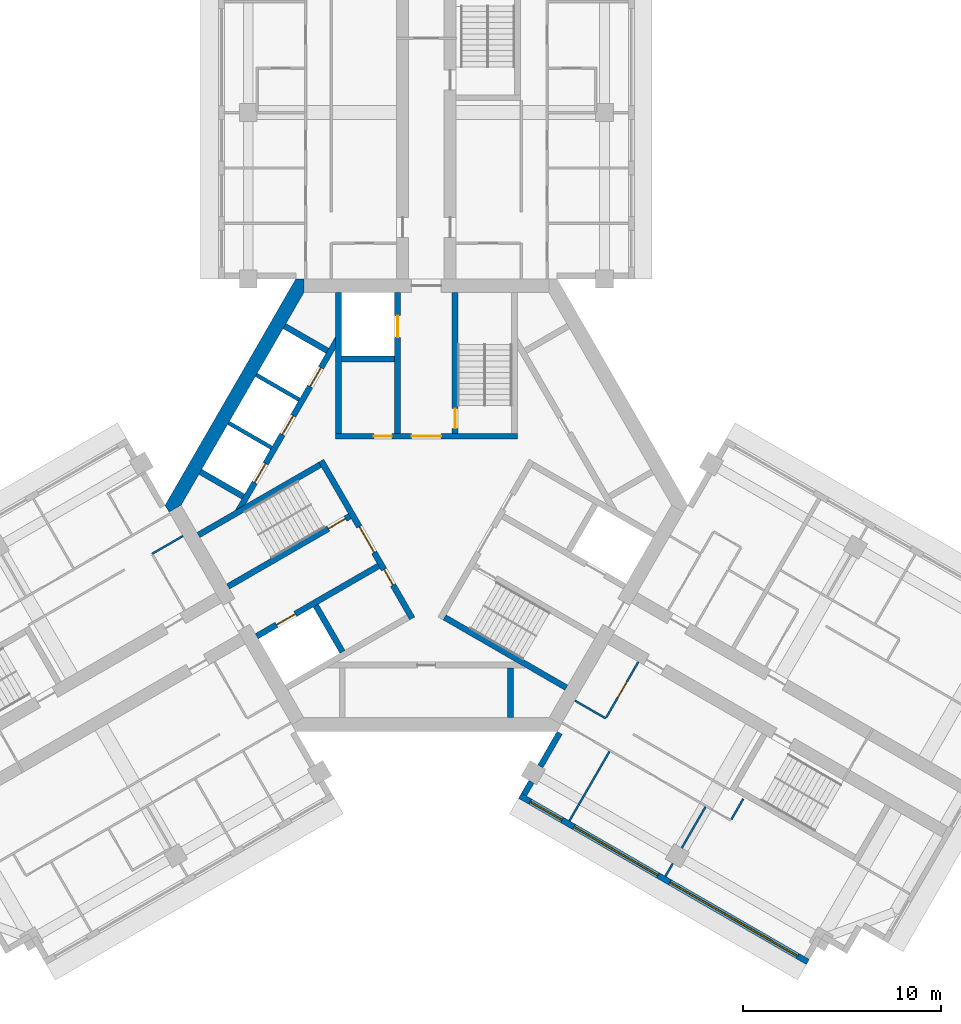
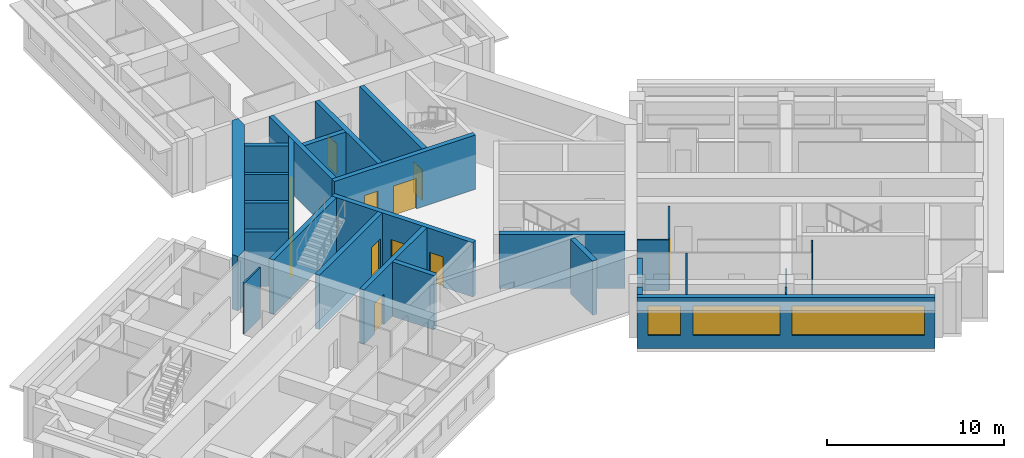
# One storey, part 4 of 10: 28 walls, 12 doors, 3 windows, 15 openings.
"""IFC4 building model written with IfcOpenShell, lengths in metres."""

import ifcopenshell
import ifcopenshell.guid

model = None  # the IFC model being written
_history = None  # IfcOwnerHistory: only IFC2X3 demands one
_inside = {}  # id of a spatial element -> (the spatial element, [elements in it])
_under = {}  # id of a project, library or spatial element -> (it, [spatial elements below it])
_declared = {}  # id of a project -> (the project, [libraries it declares])
_typed = {}  # id of a type object -> (the type object, [elements of that type])
_made_of = {}  # id of a material, layer set ... -> (it, [elements and type objects made of it])


def new_model(schema):
    """Start an empty IFC model of exactly this schema.

    Asked for "IFC4X3", IfcOpenShell would pick the latest addendum, in which some entities
    have other attributes; the version numbers below select the first issue.
    IFC2X3 requires an IfcOwnerHistory on every rooted entity: one is made here for all.
    """
    global model, _history
    if schema == "IFC4X3":
        model = ifcopenshell.file(schema_version=(4, 3, 0, 0))
    else:
        model = ifcopenshell.file(schema=schema)
    _inside.clear()
    _under.clear()
    _declared.clear()
    _typed.clear()
    _made_of.clear()
    _history = None
    if model.schema == "IFC2X3":
        org = make("IfcOrganization", Name="unknown")
        user = make(
            "IfcPersonAndOrganization",
            ThePerson=make("IfcPerson", FamilyName="unknown"),
            TheOrganization=org,
        )
        app = make(
            "IfcApplication",
            ApplicationDeveloper=org,
            Version="unknown",
            ApplicationFullName="unknown",
            ApplicationIdentifier="unknown",
        )
        _history = make(
            "IfcOwnerHistory",
            OwningUser=user,
            OwningApplication=app,
            ChangeAction="ADDED",
            CreationDate=0,
        )
    return model


def make(cls, **values):
    """One entity of the class cls with the attributes given. An attribute that is None is left unset."""
    return model.create_entity(
        cls, **{name: value for name, value in values.items() if value is not None}
    )


def rooted(cls, **values):
    """An entity with a GlobalId (a new one), such as an element, a storey or a relation."""
    return make(cls, GlobalId=ifcopenshell.guid.new(), OwnerHistory=_history, **values)


def si_unit(unit_type, name, prefix=None):
    """IfcSIUnit, for example si_unit("LENGTHUNIT", "METRE", prefix="MILLI")."""
    return make("IfcSIUnit", UnitType=unit_type, Prefix=prefix, Name=name)


def assignment(units):
    """IfcUnitAssignment: the units of a project."""
    return None if units is None else make("IfcUnitAssignment", Units=units)


def point(xyz):
    """IfcCartesianPoint."""
    return None if xyz is None else make("IfcCartesianPoint", Coordinates=xyz)


def direction(xyz):
    """IfcDirection."""
    return None if xyz is None else make("IfcDirection", DirectionRatios=xyz)


def frame(location, z_axis=None, x_axis=None):
    """IfcAxis2Placement3D, a coordinate frame: its origin and axes. An axis left out is left unset."""
    return make(
        "IfcAxis2Placement3D",
        Location=point(location),
        Axis=direction(z_axis),
        RefDirection=direction(x_axis),
    )


def frame_2d(location, x_axis=None):
    """IfcAxis2Placement2D, a coordinate frame in the plane: its origin and x axis."""
    return make(
        "IfcAxis2Placement2D", Location=point(location), RefDirection=direction(x_axis)
    )


def origin():
    """The frame at (0, 0, 0) with its axes left unset."""
    return frame((0.0, 0.0, 0.0))


def place(relative_to, where):
    """IfcLocalPlacement: puts the frame where relative to a parent placement (None: the world)."""
    return make(
        "IfcLocalPlacement", PlacementRelTo=relative_to, RelativePlacement=where
    )


def context(
    kind, dimensions, precision=None, world=None, true_north=None, identifier=None
):
    """IfcGeometricRepresentationContext, for example the 3D "Model" context."""
    return make(
        "IfcGeometricRepresentationContext",
        ContextIdentifier=identifier,
        ContextType=kind,
        CoordinateSpaceDimension=dimensions,
        Precision=precision,
        WorldCoordinateSystem=world,
        TrueNorth=true_north,
    )


def subcontext(parent, identifier, kind, view, scale=None):
    """IfcGeometricRepresentationSubContext, for example "Body" below "Model"."""
    return make(
        "IfcGeometricRepresentationSubContext",
        ContextIdentifier=identifier,
        ContextType=kind,
        ParentContext=parent,
        TargetScale=scale,
        TargetView=view,
    )


def project(units=None, contexts=None):
    """IfcProject with its units and contexts."""
    return rooted(
        "IfcProject",
        Name="project",
        RepresentationContexts=contexts,
        UnitsInContext=assignment(units),
    )


def spatial(cls, under=None, at=None, **own):
    """A site, building, storey or space (cls), placed at a placement, below another one or the project."""
    s = rooted(cls, ObjectPlacement=at, **own)
    if under is not None:
        _under.setdefault(under.id(), (under, []))[1].append(s)
    return s


def polyline(points):
    """IfcPolyline through the points."""
    return make("IfcPolyline", Points=[point(p) for p in points])


def profile(cls, at=None, kind="AREA", **sizes):
    """A parametric profile (cls). Its sizes go by their IFC names, for example OverallWidth=200.0."""
    return make(cls, ProfileType=kind, Position=at, **sizes)


def rectangle(**sizes):
    """IfcRectangleProfileDef."""
    return profile("IfcRectangleProfileDef", **sizes)


def outline(outer, holes=None, kind="AREA"):
    """IfcArbitraryClosedProfileDef: a profile drawn as a closed curve; with holes, ...WithVoids."""
    if holes is None:
        return make("IfcArbitraryClosedProfileDef", ProfileType=kind, OuterCurve=outer)
    return make(
        "IfcArbitraryProfileDefWithVoids",
        ProfileType=kind,
        OuterCurve=outer,
        InnerCurves=holes,
    )


def extrude(swept, where, along, depth):
    """IfcExtrudedAreaSolid: the profile swept, set in the frame where, extruded along a direction by depth."""
    return make(
        "IfcExtrudedAreaSolid",
        SweptArea=swept,
        Position=where,
        ExtrudedDirection=direction(along),
        Depth=depth,
    )


def shape(context_of_items, identifier, shape_type, items):
    """IfcShapeRepresentation: the items that make up one representation, for example the "Body"."""
    return make(
        "IfcShapeRepresentation",
        ContextOfItems=context_of_items,
        RepresentationIdentifier=identifier,
        RepresentationType=shape_type,
        Items=items,
    )


def material(Name=None, Category=None):
    """IfcMaterial."""
    return make("IfcMaterial", Name=Name, Category=Category)


def layer(
    of_material, thickness, ventilated=None, Name=None, Category=None, Priority=None
):
    """IfcMaterialLayer: one layer of a wall or slab, of a material (None: an air gap)."""
    return make(
        "IfcMaterialLayer",
        Material=of_material,
        LayerThickness=thickness,
        IsVentilated=ventilated,
        Name=Name,
        Category=Category,
        Priority=Priority,
    )


def layer_set(layers, Name=None):
    """IfcMaterialLayerSet."""
    return make("IfcMaterialLayerSet", MaterialLayers=layers, LayerSetName=Name)


def made_of(thing, what):
    """Note that an element or type object is made of a material, layer set ...; save() writes the relation."""
    if what is not None:
        _made_of.setdefault(what.id(), (what, []))[1].append(thing)
    return thing


def type_object(cls, material=None, **own):
    """A type object (cls), such as IfcWallType, which elements share."""
    return made_of(rooted(cls, **own), material)


def element(
    cls,
    number,
    at=None,
    inside=None,
    cuts=None,
    type_object=None,
    material=None,
    context=None,
    identifier="Body",
    shape_type=None,
    held_by="IfcProductDefinitionShape",
    body=None,
    shapes=None,
    **own,
):
    """One element of the class cls, such as IfcWall. Its Tag is "e" and its number.

    at: its placement. inside: the storey or other place that contains it. cuts: it is an
    opening in that element (IfcRelVoidsElement). A single representation is given by context,
    identifier, shape_type and body (its items); several are given by shapes. held_by: the class
    of the entity that holds the representations. save() writes the other relations.
    """
    e = rooted(cls, Tag="e%d" % number, ObjectPlacement=at, **own)
    if body is not None:
        shapes = [shape(context, identifier, shape_type, body)]
    if shapes is not None:
        e.Representation = make(held_by, Representations=shapes)
    if inside is not None:
        _inside.setdefault(inside.id(), (inside, []))[1].append(e)
    if cuts is not None:
        rooted(
            "IfcRelVoidsElement", RelatingBuildingElement=cuts, RelatedOpeningElement=e
        )
    if type_object is not None:
        _typed.setdefault(type_object.id(), (type_object, []))[1].append(e)
    return made_of(e, material)


def fill(opening, filler):
    """IfcRelFillsElement: the door or window that sits in an opening."""
    return rooted(
        "IfcRelFillsElement",
        RelatingOpeningElement=opening,
        RelatedBuildingElement=filler,
    )


def aggregate(whole, parts):
    """IfcRelAggregates: a whole, such as a stair, and the parts it consists of."""
    return rooted("IfcRelAggregates", RelatingObject=whole, RelatedObjects=parts)


def save(model, path):
    """Write the relations noted so far, then the file.

    IfcRelAggregates (storeys below a building ...), IfcRelContainedInSpatialStructure (elements
    in a storey), IfcRelDefinesByType, IfcRelAssociatesMaterial and IfcRelDeclares: one each for
    every whole, place, type object, material and project.
    """
    for whole, parts in _under.values():
        aggregate(whole, parts)
    for where, things in _inside.values():
        rooted(
            "IfcRelContainedInSpatialStructure",
            RelatedElements=things,
            RelatingStructure=where,
        )
    for kind, things in _typed.values():
        rooted("IfcRelDefinesByType", RelatedObjects=things, RelatingType=kind)
    for what, things in _made_of.values():
        rooted("IfcRelAssociatesMaterial", RelatedObjects=things, RelatingMaterial=what)
    for by, libraries in _declared.values():
        rooted("IfcRelDeclares", RelatingContext=by, RelatedDefinitions=libraries)
    model.write(path)


model = new_model("IFC4")

# Units and contexts
model_context = context("Model", 3, precision=1e-05, world=origin(), true_north=direction((0.0, 1.0)))
body_context = subcontext(model_context, "Body", "Model", "MODEL_VIEW")
ifc_project = project(units=[si_unit("LENGTHUNIT", "METRE"), si_unit("AREAUNIT", "SQUARE_METRE"), si_unit("VOLUMEUNIT", "CUBIC_METRE"), si_unit("PLANEANGLEUNIT", "RADIAN"), si_unit("MASSUNIT", "GRAM", prefix="KILO")], contexts=[model_context])

# Site, building, storey
site_placement = place(None, origin())
site = spatial("IfcSite", under=ifc_project, at=site_placement, CompositionType="ELEMENT")
building_placement = place(site_placement, origin())
building = spatial("IfcBuilding", under=site, at=building_placement, Name="Impinga Residences", CompositionType="ELEMENT")
storey_placement = place(building_placement, frame((0.0, 0.0, 259.75)))
storey = spatial("IfcBuildingStorey", under=building, at=storey_placement, Name="L65", CompositionType="ELEMENT", Elevation=259.75)

# Wall, openings, windows
ifc_material_1 = material(Name="Terracotta rainscreen on blockwork", Category="masonry")
ifc_layer_1 = layer(ifc_material_1, 0.300048828125)
ifc_layer_set_1 = layer_set([ifc_layer_1], Name="EW1 external wall, terracotta rainscreen on blockwork 300")
wall_type_1 = type_object("IfcWallType", Name="EW1 external wall, terracotta rainscreen on blockwork 300", PredefinedType="SOLIDWALL", material=ifc_layer_set_1)
wall_1_placement = place(storey_placement, frame((19.274169921875, -23.0791015625, 0.0), z_axis=(0.0, 0.0, 1.0), x_axis=(-0.86602562146, 0.499999622975, 0.0)))
wall_1 = element("IfcWall", 1, at=wall_1_placement, inside=storey, type_object=wall_type_1, Name="External wall EW1 L65", PredefinedType="SOLIDWALL", context=body_context, shape_type="SweptSolid", body=[
    extrude(rectangle(XDim=16.7998046875, YDim=0.300048828125, at=frame_2d((8.39990234375, 0.0))), origin(), (0.0, 0.0, 1.0), 3.530029296875),
])
opening_1_placement = place(wall_1_placement, frame((0.60009765625, 0.0, 0.89990234375)))
opening_1 = element("IfcOpeningElement", 2, at=opening_1_placement, cuts=wall_1, Name="Opening W7", PredefinedType="OPENING", context=body_context, shape_type="SweptSolid", body=[
    extrude(rectangle(XDim=7.449951171875, YDim=2.050048828125, at=frame_2d((3.72509765625, 1.02490234375))), frame((0.0, 0.159912109375, 0.0), z_axis=(0.0, -1.0, 0.0), x_axis=(1.0, 0.0, 0.0)), (0.0, 0.0, 1.0), 0.320068359375),
])
opening_2_placement = place(wall_1_placement, frame((8.75, 0.0, 0.89990234375)))
opening_2 = element("IfcOpeningElement", 3, at=opening_2_placement, cuts=wall_1, Name="Opening W16", PredefinedType="OPENING", context=body_context, shape_type="SweptSolid", body=[
    extrude(rectangle(XDim=4.89990234375, YDim=2.050048828125, at=frame_2d((2.449951171875, 1.02490234375))), frame((0.0, 0.159912109375, 0.0), z_axis=(0.0, -1.0, 0.0), x_axis=(1.0, 0.0, 0.0)), (0.0, 0.0, 1.0), 0.320068359375),
])
opening_3_placement = place(wall_1_placement, frame((14.35009765625, 0.0, 0.89990234375)))
opening_3 = element("IfcOpeningElement", 4, at=opening_3_placement, cuts=wall_1, Name="Opening W15", PredefinedType="OPENING", context=body_context, shape_type="SweptSolid", body=[
    extrude(rectangle(XDim=1.85009765625, YDim=2.050048828125, at=frame_2d((0.925048828125, 1.02490234375))), frame((0.0, 0.159912109375, 0.0), z_axis=(0.0, -1.0, 0.0), x_axis=(1.0, 0.0, 0.0)), (0.0, 0.0, 1.0), 0.320068359375),
])
ifc_material_2 = material(Name="Aluminium window, clear double glazing", Category="aluminium")
window_type_1 = type_object("IfcWindowType", Name="W15 ribbon window 1850x2050", PartitioningType="SINGLE_PANEL", PredefinedType="WINDOW", material=ifc_material_2)
window_1_placement = place(opening_3_placement, origin())
window_1 = element("IfcWindow", 5, at=window_1_placement, inside=storey, type_object=window_type_1, Name="Window L65", OverallHeight=2.050048828125, OverallWidth=1.85009765625, PartitioningType="SINGLE_PANEL", PredefinedType="WINDOW", context=body_context, shape_type="SweptSolid", body=[
    extrude(rectangle(XDim=1.85009765625, YDim=2.050048828125, at=frame_2d((0.925048828125, 1.02490234375))), frame((0.0, 0.030029296875, 0.0), z_axis=(0.0, -1.0, 0.0), x_axis=(1.0, 0.0, 0.0)), (0.0, 0.0, 1.0), 0.06005859375),
])
fill(opening_3, window_1)
window_type_2 = type_object("IfcWindowType", Name="W16 ribbon window 4900x2050", PartitioningType="SINGLE_PANEL", PredefinedType="WINDOW", material=ifc_material_2)
window_2_placement = place(opening_2_placement, origin())
window_2 = element("IfcWindow", 6, at=window_2_placement, inside=storey, type_object=window_type_2, Name="Window L65", OverallHeight=2.050048828125, OverallWidth=4.89990234375, PartitioningType="SINGLE_PANEL", PredefinedType="WINDOW", context=body_context, shape_type="SweptSolid", body=[
    extrude(rectangle(XDim=4.89990234375, YDim=2.050048828125, at=frame_2d((2.449951171875, 1.02490234375))), frame((0.0, 0.030029296875, 0.0), z_axis=(0.0, -1.0, 0.0), x_axis=(1.0, 0.0, 0.0)), (0.0, 0.0, 1.0), 0.06005859375),
])
fill(opening_2, window_2)
window_type_3 = type_object("IfcWindowType", Name="W7 ribbon window 7450x2050", PartitioningType="SINGLE_PANEL", PredefinedType="WINDOW", material=ifc_material_2)
window_3_placement = place(opening_1_placement, origin())
window_3 = element("IfcWindow", 7, at=window_3_placement, inside=storey, type_object=window_type_3, Name="Window L65", OverallHeight=2.050048828125, OverallWidth=7.449951171875, PartitioningType="SINGLE_PANEL", PredefinedType="WINDOW", context=body_context, shape_type="SweptSolid", body=[
    extrude(rectangle(XDim=7.449951171875, YDim=2.050048828125, at=frame_2d((3.72509765625, 1.02490234375))), frame((0.0, 0.030029296875, 0.0), z_axis=(0.0, -1.0, 0.0), x_axis=(1.0, 0.0, 0.0)), (0.0, 0.0, 1.0), 0.06005859375),
])
fill(opening_1, window_3)

# Walls
wall_2_placement = place(storey_placement, frame((4.929931640625, -14.624267578125, 0.0), z_axis=(0.0, 0.0, 1.0), x_axis=(0.499919672301, 0.866071776036, 0.0)))
element("IfcWall", 8, at=wall_2_placement, inside=storey, type_object=wall_type_1, Name="External wall EW1 L65", PredefinedType="SOLIDWALL", context=body_context, shape_type="SweptSolid", body=[
    extrude(rectangle(XDim=0.75, YDim=0.300048828125, at=frame_2d((0.375, 0.0))), origin(), (0.0, 0.0, 1.0), 3.530029296875),
])
wall_3_placement = place(storey_placement, frame((5.7548828125, -13.1953125, 0.0), z_axis=(0.0, 0.0, 1.0), x_axis=(0.500043961785, 0.866000020948, 0.0)))
element("IfcWall", 9, at=wall_3_placement, inside=storey, type_object=wall_type_1, Name="External wall EW1 L65", PredefinedType="SOLIDWALL", context=body_context, shape_type="SweptSolid", body=[
    extrude(rectangle(XDim=1.949951171875, YDim=0.300048828125, at=frame_2d((0.97509765625, 0.0))), origin(), (0.0, 0.0, 1.0), 3.530029296875),
])
ifc_material_3 = material(Name="Gypsum board on steel studs", Category="steel")
ifc_layer_2 = layer(ifc_material_3, 0.10009765625)
ifc_layer_set_2 = layer_set([ifc_layer_2], Name="Gypsum board on steel studs")
wall_type_2 = type_object("IfcWallType", Name="IP1 partition 100", PredefinedType="PARTITIONING", material=ifc_layer_set_2)
for number, where, z_axis, x_axis, name in (
    (10, (-12.300048828125, -1.558837890625, 0.0), (0.0, 0.0, 1.0), (-0.866047807691, -0.499961193289, 0.0), "Partition L65-WF1:DIV0"),
    (11, (7.5, -9.872802734375, 0.0), (0.0, 0.0, 1.0), (0.866047807691, -0.499961193289, 0.0), "Partition L65-EF1:DIV0"),
):
    element("IfcWall", number, at=place(storey_placement, frame(where, z_axis=z_axis, x_axis=x_axis)), inside=storey, type_object=wall_type_2, Name=name, PredefinedType="PARTITIONING", context=body_context, shape_type="SweptSolid", body=[
        extrude(rectangle(XDim=1.800048828125, YDim=0.10009765625, at=frame_2d((0.89990234375, 0.0))), origin(), (0.0, 0.0, 1.0), 3.530029296875),
    ])
wall_4_placement = place(storey_placement, frame((16.00537109375, -14.841064453125, 0.0), z_axis=(0.0, 0.0, 1.0), x_axis=(-0.50012165622, -0.865955154139, 0.0)))
element("IfcWall", 12, at=wall_4_placement, inside=storey, type_object=wall_type_2, Name="Partition L65-EF1:SE1", PredefinedType="PARTITIONING", context=body_context, shape_type="SweptSolid", body=[
    extrude(rectangle(XDim=1.199951171875, YDim=0.10009765625, at=frame_2d((0.60009765625, 0.0))), origin(), (0.0, 0.0, 1.0), 3.530029296875),
])

# Wall, opening, door
wall_5_placement = place(storey_placement, frame((10.708740234375, -7.914794921875, 0.0), z_axis=(0.0, 0.0, 1.0), x_axis=(-0.499984717929, -0.866034226713, 0.0)))
wall_5 = element("IfcWall", 13, at=wall_5_placement, inside=storey, type_object=wall_type_2, Name="Partition L65-EF1:IB1", PredefinedType="PARTITIONING", context=body_context, shape_type="SweptSolid", body=[
    extrude(rectangle(XDim=3.25, YDim=0.10009765625, at=frame_2d((1.625, 0.0))), origin(), (0.0, 0.0, 1.0), 3.530029296875),
])
opening_4_placement = place(wall_5_placement, frame((1.175048828125, 0.0, 0.0)))
opening_4 = element("IfcOpeningElement", 14, at=opening_4_placement, cuts=wall_5, Name="Opening D2", PredefinedType="OPENING", context=body_context, shape_type="SweptSolid", body=[
    extrude(rectangle(XDim=0.89990234375, YDim=2.10009765625, at=frame_2d((0.449951171875, 1.050048828125))), frame((0.0, 0.06005859375, 0.0), z_axis=(0.0, -1.0, 0.0), x_axis=(1.0, 0.0, 0.0)), (0.0, 0.0, 1.0), 0.1201171875),
])
ifc_material_4 = material(Name="Timber door set", Category="wood")
door_type_1 = type_object("IfcDoorType", Name="D2 internal door 900x2100", OperationType="SINGLE_SWING_LEFT", PredefinedType="DOOR", material=ifc_material_4)
door_1_placement = place(opening_4_placement, origin())
door_1 = element("IfcDoor", 15, at=door_1_placement, inside=storey, type_object=door_type_1, Name="Apartment L65-EF1 bathroom door", OperationType="SINGLE_SWING_LEFT", OverallHeight=2.10009765625, OverallWidth=0.89990234375, PredefinedType="DOOR", context=body_context, shape_type="SweptSolid", body=[
    extrude(rectangle(XDim=0.89990234375, YDim=2.10009765625, at=frame_2d((0.449951171875, 1.050048828125))), frame((0.0, 0.02490234375, 0.0), z_axis=(0.0, -1.0, 0.0), x_axis=(1.0, 0.0, 0.0)), (0.0, 0.0, 1.0), 0.050048828125),
])
fill(opening_4, door_1)

# Walls
wall_6_placement = place(storey_placement, frame((9.249755859375, -12.44189453125, 0.0), z_axis=(0.0, 0.0, 1.0), x_axis=(-0.499990325971, -0.866030989016, 0.0)))
element("IfcWall", 16, at=wall_6_placement, inside=storey, type_object=wall_type_2, Name="Partition L65-EF1:OB1", PredefinedType="PARTITIONING", context=body_context, shape_type="SweptSolid", body=[
    extrude(rectangle(XDim=4.0498046875, YDim=0.10009765625, at=frame_2d((2.02490234375, 0.0))), origin(), (0.0, 0.0, 1.0), 3.530029296875),
])
wall_7_placement = place(storey_placement, frame((14.099609375, -15.241943359375, 0.0), z_axis=(0.0, 0.0, 1.0), x_axis=(-0.500001309137, -0.866024647952, 0.0)))
element("IfcWall", 17, at=wall_7_placement, inside=storey, type_object=wall_type_2, Name="Partition L65-EF1:OB2", PredefinedType="PARTITIONING", context=body_context, shape_type="SweptSolid", body=[
    extrude(rectangle(XDim=2.39990234375, YDim=0.10009765625, at=frame_2d((1.199951171875, 0.0))), origin(), (0.0, 0.0, 1.0), 2.47998046875),
])
wall_8_placement = place(storey_placement, frame((12.44970703125, -18.099609375, 0.0), z_axis=(0.0, 0.0, 1.0), x_axis=(-0.499919672301, -0.866071776036, 0.0)))
element("IfcWall", 18, at=wall_8_placement, inside=storey, type_object=wall_type_2, Name="Partition L65-EF1:OB2b", PredefinedType="PARTITIONING", context=body_context, shape_type="SweptSolid", body=[
    extrude(rectangle(XDim=0.75, YDim=0.10009765625, at=frame_2d((0.375, 0.0))), origin(), (0.0, 0.0, 1.0), 3.530029296875),
])
ifc_material_5 = material(Name="Concrete C60/75", Category="concrete")
ifc_layer_3 = layer(ifc_material_5, 0.699951171875)
ifc_layer_set_3 = layer_set([ifc_layer_3], Name="Concrete C60/75")
wall_type_3 = type_object("IfcWallType", Name="SW3 core wall 700", PredefinedType="SHEAR", material=ifc_layer_set_3)
wall_9_placement = place(storey_placement, origin())
element("IfcWall", 19, at=wall_9_placement, inside=storey, type_object=wall_type_3, Name="Core wall SW3 E:EXPOSED L65", PredefinedType="SHEAR", context=body_context, shape_type="SweptSolid", body=[
    extrude(outline(polyline([(-6.60009765625, 11.431640625), (-13.199951171875, 0.0), (-12.998046875, -0.35009765625), (-12.3916015625, 0.0), (-6.19580078125, 10.7314453125), (-6.19580078125, 11.431640625), (-6.60009765625, 11.431640625)])), origin(), (0.0, 0.0, 1.0), 3.75),
])

# Wall, openings, doors
ifc_material_6 = material(Name="Concrete C70/85", Category="concrete")
ifc_layer_4 = layer(ifc_material_6, 0.300048828125)
ifc_layer_set_4 = layer_set([ifc_layer_4], Name="Concrete C70/85")
wall_type_4 = type_object("IfcWallType", Name="SW5 core inner wall, stairs, shafts and lobbies 300", PredefinedType="SHEAR", material=ifc_layer_set_4)
wall_10_placement = place(storey_placement, frame((-4.60009765625, 3.47998046875, 0.0), z_axis=(0.0, 0.0, 1.0), x_axis=(1.0, 0.0, 0.0)))
wall_10 = element("IfcWall", 20, at=wall_10_placement, inside=storey, type_object=wall_type_4, Name="Core wall SW5 N:ZONE L65", PredefinedType="SHEAR", context=body_context, shape_type="SweptSolid", body=[
    extrude(rectangle(XDim=9.2001953125, YDim=0.300048828125, at=frame_2d((4.60009765625, 0.0))), origin(), (0.0, 0.0, 1.0), 3.75),
])
opening_5_placement = place(wall_10_placement, frame((3.85009765625, 0.0, 0.0)))
opening_5 = element("IfcOpeningElement", 21, at=opening_5_placement, cuts=wall_10, Name="Opening D4", PredefinedType="OPENING", context=body_context, shape_type="SweptSolid", body=[
    extrude(rectangle(XDim=1.5, YDim=2.10009765625, at=frame_2d((0.75, 1.050048828125))), frame((0.0, 0.159912109375, 0.0), z_axis=(0.0, -1.0, 0.0), x_axis=(1.0, 0.0, 0.0)), (0.0, 0.0, 1.0), 0.320068359375),
])
opening_6_placement = place(wall_10_placement, frame((1.949951171875, 0.0, 0.0)))
opening_6 = element("IfcOpeningElement", 22, at=opening_6_placement, cuts=wall_10, Name="Opening D6", PredefinedType="OPENING", context=body_context, shape_type="SweptSolid", body=[
    extrude(rectangle(XDim=0.89990234375, YDim=2.10009765625, at=frame_2d((0.449951171875, 1.050048828125))), frame((0.0, 0.159912109375, 0.0), z_axis=(0.0, -1.0, 0.0), x_axis=(1.0, 0.0, 0.0)), (0.0, 0.0, 1.0), 0.320068359375),
])
door_type_2 = type_object("IfcDoorType", Name="D4 lobby door pair 1500x2100", OperationType="DOUBLE_DOOR_DOUBLE_SWING", PredefinedType="DOOR", material=ifc_material_4)
door_2_placement = place(opening_5_placement, origin())
door_2 = element("IfcDoor", 23, at=door_2_placement, inside=storey, type_object=door_type_2, Name="Firefighting lobby door N", OperationType="DOUBLE_DOOR_DOUBLE_SWING", OverallHeight=2.10009765625, OverallWidth=1.5, PredefinedType="DOOR", context=body_context, shape_type="SweptSolid", body=[
    extrude(rectangle(XDim=1.5, YDim=2.10009765625, at=frame_2d((0.75, 1.050048828125))), frame((0.0, 0.02490234375, 0.0), z_axis=(0.0, -1.0, 0.0), x_axis=(1.0, 0.0, 0.0)), (0.0, 0.0, 1.0), 0.050048828125),
])
fill(opening_5, door_2)
door_type_3 = type_object("IfcDoorType", Name="D6 riser and store door 900x2100", OperationType="SINGLE_SWING_LEFT", PredefinedType="DOOR", material=ifc_material_4)
door_3_placement = place(opening_6_placement, origin())
door_3 = element("IfcDoor", 24, at=door_3_placement, inside=storey, type_object=door_type_3, Name="Riser door N", OperationType="SINGLE_SWING_LEFT", OverallHeight=2.10009765625, OverallWidth=0.89990234375, PredefinedType="DOOR", context=body_context, shape_type="SweptSolid", body=[
    extrude(rectangle(XDim=0.89990234375, YDim=2.10009765625, at=frame_2d((0.449951171875, 1.050048828125))), frame((0.0, 0.02490234375, 0.0), z_axis=(0.0, -1.0, 0.0), x_axis=(1.0, 0.0, 0.0)), (0.0, 0.0, 1.0), 0.050048828125),
])
fill(opening_6, door_3)

# Wall, opening, door
wall_11_placement = place(storey_placement, frame((1.449951171875, 3.6298828125, 0.0), z_axis=(0.0, 0.0, 1.0), x_axis=(0.0, 1.0, 0.0)))
wall_11 = element("IfcWall", 25, at=wall_11_placement, inside=storey, type_object=wall_type_4, Name="Core wall SW5 N:ST-IN L65", PredefinedType="SHEAR", context=body_context, shape_type="SweptSolid", body=[
    extrude(rectangle(XDim=7.1015625, YDim=0.300048828125, at=frame_2d((3.55078125, 0.0))), origin(), (0.0, 0.0, 1.0), 3.75),
])
opening_7_placement = place(wall_11_placement, frame((0.25, 0.0, 0.0)))
opening_7 = element("IfcOpeningElement", 26, at=opening_7_placement, cuts=wall_11, Name="Opening D5", PredefinedType="OPENING", context=body_context, shape_type="SweptSolid", body=[
    extrude(rectangle(XDim=1.0, YDim=2.10009765625, at=frame_2d((0.5, 1.050048828125))), frame((0.0, 0.159912109375, 0.0), z_axis=(0.0, -1.0, 0.0), x_axis=(1.0, 0.0, 0.0)), (0.0, 0.0, 1.0), 0.320068359375),
])
door_type_4 = type_object("IfcDoorType", Name="D5 stair door 1000x2100", OperationType="SINGLE_SWING_LEFT", PredefinedType="DOOR", material=ifc_material_4)
door_4_placement = place(opening_7_placement, origin())
door_4 = element("IfcDoor", 27, at=door_4_placement, inside=storey, type_object=door_type_4, Name="Stair door N", OperationType="SINGLE_SWING_LEFT", OverallHeight=2.10009765625, OverallWidth=1.0, PredefinedType="DOOR", context=body_context, shape_type="SweptSolid", body=[
    extrude(rectangle(XDim=1.0, YDim=2.10009765625, at=frame_2d((0.5, 1.050048828125))), frame((0.0, 0.02490234375, 0.0), z_axis=(0.0, -1.0, 0.0), x_axis=(1.0, 0.0, 0.0)), (0.0, 0.0, 1.0), 0.050048828125),
])
fill(opening_7, door_4)

wall_12_placement = place(storey_placement, frame((-1.449951171875, 3.6298828125, 0.0), z_axis=(0.0, 0.0, 1.0), x_axis=(0.0, 1.0, 0.0)))
wall_12 = element("IfcWall", 28, at=wall_12_placement, inside=storey, type_object=wall_type_4, Name="Core wall SW5 N:FF-IN L65", PredefinedType="SHEAR", context=body_context, shape_type="SweptSolid", body=[
    extrude(rectangle(XDim=7.1015625, YDim=0.300048828125, at=frame_2d((3.55078125, 0.0))), origin(), (0.0, 0.0, 1.0), 3.75),
])
opening_8_placement = place(wall_12_placement, frame((4.85009765625, 0.0, 0.0)))
opening_8 = element("IfcOpeningElement", 29, at=opening_8_placement, cuts=wall_12, Name="Opening LD2", PredefinedType="OPENING", context=body_context, shape_type="SweptSolid", body=[
    extrude(rectangle(XDim=1.10009765625, YDim=2.10009765625, at=frame_2d((0.550048828125, 1.050048828125))), frame((0.0, 0.159912109375, 0.0), z_axis=(0.0, -1.0, 0.0), x_axis=(1.0, 0.0, 0.0)), (0.0, 0.0, 1.0), 0.320068359375),
])
ifc_material_7 = material(Name="Steel lift landing door", Category="steel")
door_type_5 = type_object("IfcDoorType", Name="LD2 firefighting lift landing door 1100x2100", OperationType="DOUBLE_DOOR_SLIDING", PredefinedType="DOOR", material=ifc_material_7)
door_5_placement = place(opening_8_placement, origin())
door_5 = element("IfcDoor", 30, at=door_5_placement, inside=storey, type_object=door_type_5, Name="Firefighting lift landing door F1", OperationType="DOUBLE_DOOR_SLIDING", OverallHeight=2.10009765625, OverallWidth=1.10009765625, PredefinedType="DOOR", context=body_context, shape_type="SweptSolid", body=[
    extrude(rectangle(XDim=1.10009765625, YDim=2.10009765625, at=frame_2d((0.550048828125, 1.050048828125))), frame((0.0, 0.02490234375, 0.0), z_axis=(0.0, -1.0, 0.0), x_axis=(1.0, 0.0, 0.0)), (0.0, 0.0, 1.0), 0.050048828125),
])
fill(opening_8, door_5)

# Walls
wall_13_placement = place(storey_placement, frame((-4.449951171875, 3.6298828125, 0.0), z_axis=(0.0, 0.0, 1.0), x_axis=(0.0, 1.0, 0.0)))
element("IfcWall", 31, at=wall_13_placement, inside=storey, type_object=wall_type_4, Name="Core wall SW5 N:FF-OUT L65", PredefinedType="SHEAR", context=body_context, shape_type="SweptSolid", body=[
    extrude(rectangle(XDim=7.1015625, YDim=0.300048828125, at=frame_2d((3.55078125, 0.0))), origin(), (0.0, 0.0, 1.0), 3.75),
])
wall_14_placement = place(storey_placement, frame((-4.300048828125, 7.3798828125, 0.0), z_axis=(0.0, 0.0, 1.0), x_axis=(1.0, 0.0, 0.0)))
element("IfcWall", 32, at=wall_14_placement, inside=storey, type_object=wall_type_4, Name="Core wall SW5 N:FF-RS L65", PredefinedType="SHEAR", context=body_context, shape_type="SweptSolid", body=[
    extrude(rectangle(XDim=2.699951171875, YDim=0.300048828125, at=frame_2d((1.35009765625, 0.0))), origin(), (0.0, 0.0, 1.0), 3.75),
])

# Wall, openings, doors
wall_15_placement = place(storey_placement, frame((-0.7138671875, -5.7236328125, 0.0), z_axis=(0.0, 0.0, 1.0), x_axis=(-0.499995050369, 0.866028261437, 0.0)))
wall_15 = element("IfcWall", 33, at=wall_15_placement, inside=storey, type_object=wall_type_4, Name="Core wall SW5 W:ZONE L65", PredefinedType="SHEAR", context=body_context, shape_type="SweptSolid", body=[
    extrude(rectangle(XDim=9.19970703125, YDim=0.300048828125, at=frame_2d((4.599853515625, 0.0))), origin(), (0.0, 0.0, 1.0), 3.75),
])
opening_9_placement = place(wall_15_placement, frame((3.85009765625, 0.0, 0.0)))
opening_9 = element("IfcOpeningElement", 34, at=opening_9_placement, cuts=wall_15, Name="Opening D4", PredefinedType="OPENING", context=body_context, shape_type="SweptSolid", body=[
    extrude(rectangle(XDim=1.5, YDim=2.10009765625, at=frame_2d((0.75, 1.050048828125))), frame((0.0, 0.159912109375, 0.0), z_axis=(0.0, -1.0, 0.0), x_axis=(1.0, 0.0, 0.0)), (0.0, 0.0, 1.0), 0.320068359375),
])
opening_10_placement = place(wall_15_placement, frame((1.949951171875, 0.0, 0.0)))
opening_10 = element("IfcOpeningElement", 35, at=opening_10_placement, cuts=wall_15, Name="Opening D6", PredefinedType="OPENING", context=body_context, shape_type="SweptSolid", body=[
    extrude(rectangle(XDim=0.89990234375, YDim=2.10009765625, at=frame_2d((0.449951171875, 1.050048828125))), frame((0.0, 0.159912109375, 0.0), z_axis=(0.0, -1.0, 0.0), x_axis=(1.0, 0.0, 0.0)), (0.0, 0.0, 1.0), 0.320068359375),
])
door_6_placement = place(opening_9_placement, origin())
door_6 = element("IfcDoor", 36, at=door_6_placement, inside=storey, type_object=door_type_2, Name="Firefighting lobby door W", OperationType="DOUBLE_DOOR_DOUBLE_SWING", OverallHeight=2.10009765625, OverallWidth=1.5, PredefinedType="DOOR", context=body_context, shape_type="SweptSolid", body=[
    extrude(rectangle(XDim=1.5, YDim=2.10009765625, at=frame_2d((0.75, 1.050048828125))), frame((0.0, 0.02490234375, 0.0), z_axis=(0.0, -1.0, 0.0), x_axis=(1.0, 0.0, 0.0)), (0.0, 0.0, 1.0), 0.050048828125),
])
fill(opening_9, door_6)
door_7_placement = place(opening_10_placement, origin())
door_7 = element("IfcDoor", 37, at=door_7_placement, inside=storey, type_object=door_type_3, Name="Riser door W", OperationType="SINGLE_SWING_LEFT", OverallHeight=2.10009765625, OverallWidth=0.89990234375, PredefinedType="DOOR", context=body_context, shape_type="SweptSolid", body=[
    extrude(rectangle(XDim=0.89990234375, YDim=2.10009765625, at=frame_2d((0.449951171875, 1.050048828125))), frame((0.0, 0.02490234375, 0.0), z_axis=(0.0, -1.0, 0.0), x_axis=(1.0, 0.0, 0.0)), (0.0, 0.0, 1.0), 0.050048828125),
])
fill(opening_10, door_7)

# Wall, opening, door
wall_16_placement = place(storey_placement, frame((-3.86865234375, -0.559326171875, 0.0), z_axis=(0.0, 0.0, 1.0), x_axis=(-0.866025859768, -0.499999210213, 0.0)))
wall_16 = element("IfcWall", 38, at=wall_16_placement, inside=storey, type_object=wall_type_4, Name="Core wall SW5 W:ST-IN L65", PredefinedType="SHEAR", context=body_context, shape_type="SweptSolid", body=[
    extrude(rectangle(XDim=7.1015625, YDim=0.300048828125, at=frame_2d((3.55078125, 0.0))), origin(), (0.0, 0.0, 1.0), 3.75),
])
opening_11_placement = place(wall_16_placement, frame((0.25, 0.0, 0.0)))
opening_11 = element("IfcOpeningElement", 39, at=opening_11_placement, cuts=wall_16, Name="Opening D5", PredefinedType="OPENING", context=body_context, shape_type="SweptSolid", body=[
    extrude(rectangle(XDim=1.0, YDim=2.10009765625, at=frame_2d((0.5, 1.050048828125))), frame((0.0, 0.159912109375, 0.0), z_axis=(0.0, -1.0, 0.0), x_axis=(1.0, 0.0, 0.0)), (0.0, 0.0, 1.0), 0.320068359375),
])
door_8_placement = place(opening_11_placement, origin())
door_8 = element("IfcDoor", 40, at=door_8_placement, inside=storey, type_object=door_type_4, Name="Stair door W", OperationType="SINGLE_SWING_LEFT", OverallHeight=2.10009765625, OverallWidth=1.0, PredefinedType="DOOR", context=body_context, shape_type="SweptSolid", body=[
    extrude(rectangle(XDim=1.0, YDim=2.10009765625, at=frame_2d((0.5, 1.050048828125))), frame((0.0, 0.02490234375, 0.0), z_axis=(0.0, -1.0, 0.0), x_axis=(1.0, 0.0, 0.0)), (0.0, 0.0, 1.0), 0.050048828125),
])
fill(opening_11, door_8)

# Wall
wall_17_placement = place(storey_placement, frame((-5.36865234375, 2.038818359375, 0.0), z_axis=(0.0, 0.0, 1.0), x_axis=(-0.866025859768, -0.499999210213, 0.0)))
element("IfcWall", 41, at=wall_17_placement, inside=storey, type_object=wall_type_4, Name="Core wall SW5 W:ST-OUT L65", PredefinedType="SHEAR", context=body_context, shape_type="SweptSolid", body=[
    extrude(rectangle(XDim=7.1015625, YDim=0.300048828125, at=frame_2d((3.55078125, 0.0))), origin(), (0.0, 0.0, 1.0), 3.75),
])

# Wall, opening, door
wall_18_placement = place(storey_placement, frame((-2.418701171875, -3.07080078125, 0.0), z_axis=(0.0, 0.0, 1.0), x_axis=(-0.866025859768, -0.499999210213, 0.0)))
wall_18 = element("IfcWall", 42, at=wall_18_placement, inside=storey, type_object=wall_type_4, Name="Core wall SW5 W:FF-IN L65", PredefinedType="SHEAR", context=body_context, shape_type="SweptSolid", body=[
    extrude(rectangle(XDim=7.1015625, YDim=0.300048828125, at=frame_2d((3.55078125, 0.0))), origin(), (0.0, 0.0, 1.0), 3.75),
])
opening_12_placement = place(wall_18_placement, frame((4.85009765625, 0.0, 0.0)))
opening_12 = element("IfcOpeningElement", 43, at=opening_12_placement, cuts=wall_18, Name="Opening LD2", PredefinedType="OPENING", context=body_context, shape_type="SweptSolid", body=[
    extrude(rectangle(XDim=1.10009765625, YDim=2.10009765625, at=frame_2d((0.550048828125, 1.050048828125))), frame((0.0, 0.159912109375, 0.0), z_axis=(0.0, -1.0, 0.0), x_axis=(1.0, 0.0, 0.0)), (0.0, 0.0, 1.0), 0.320068359375),
])
door_9_placement = place(opening_12_placement, origin())
door_9 = element("IfcDoor", 44, at=door_9_placement, inside=storey, type_object=door_type_5, Name="Firefighting lift landing door F2", OperationType="DOUBLE_DOOR_SLIDING", OverallHeight=2.10009765625, OverallWidth=1.10009765625, PredefinedType="DOOR", context=body_context, shape_type="SweptSolid", body=[
    extrude(rectangle(XDim=1.10009765625, YDim=2.10009765625, at=frame_2d((0.550048828125, 1.050048828125))), frame((0.0, 0.02490234375, 0.0), z_axis=(0.0, -1.0, 0.0), x_axis=(1.0, 0.0, 0.0)), (0.0, 0.0, 1.0), 0.050048828125),
])
fill(opening_12, door_9)

# Walls
wall_19_placement = place(storey_placement, frame((-4.2412109375, -7.413818359375, 0.0), z_axis=(0.0, 0.0, 1.0), x_axis=(-0.500048589285, 0.86599734893, 0.0)))
element("IfcWall", 45, at=wall_19_placement, inside=storey, type_object=wall_type_4, Name="Core wall SW5 W:FF-RS L65", PredefinedType="SHEAR", context=body_context, shape_type="SweptSolid", body=[
    extrude(rectangle(XDim=2.699951171875, YDim=0.300048828125, at=frame_2d((1.35009765625, 0.0))), origin(), (0.0, 0.0, 1.0), 3.75),
])
wall_20_placement = place(storey_placement, frame((0.918701171875, -5.668701171875, 0.0), z_axis=(0.0, 0.0, 1.0), x_axis=(0.866025859768, -0.499999210213, 0.0)))
element("IfcWall", 46, at=wall_20_placement, inside=storey, type_object=wall_type_4, Name="Core wall SW5 E:ST-OUT L65", PredefinedType="SHEAR", context=body_context, shape_type="SweptSolid", body=[
    extrude(rectangle(XDim=7.1015625, YDim=0.300048828125, at=frame_2d((3.55078125, 0.0))), origin(), (0.0, 0.0, 1.0), 3.75),
])
wall_21_placement = place(storey_placement, frame((4.25, -8.2314453125, 0.0), z_axis=(0.0, 0.0, 1.0), x_axis=(0.0, -1.0, 0.0)))
element("IfcWall", 47, at=wall_21_placement, inside=storey, type_object=wall_type_4, Name="Core wall SW5 N:BANK-L L65", PredefinedType="SHEAR", context=body_context, shape_type="SweptSolid", body=[
    extrude(rectangle(XDim=2.5, YDim=0.300048828125, at=frame_2d((1.25, 0.0))), origin(), (0.0, 0.0, 1.0), 3.75),
])

# Wall, openings, doors
wall_22_placement = place(storey_placement, frame((-9.547607421875, -0.3740234375, 0.0), z_axis=(0.0, 0.0, 1.0), x_axis=(0.500002290144, 0.866024081565, 0.0)))
wall_22 = element("IfcWall", 48, at=wall_22_placement, inside=storey, type_object=wall_type_4, Name="Core wall SW5 E:BANK-FRONT L65", PredefinedType="SHEAR", context=body_context, shape_type="SweptSolid", body=[
    extrude(rectangle(XDim=10.1953125, YDim=0.300048828125, at=frame_2d((5.09765625, 0.0))), origin(), (0.0, 0.0, 1.0), 3.75),
])
opening_13_placement = place(wall_22_placement, frame((1.74755859375, 0.0, 0.0)))
opening_13 = element("IfcOpeningElement", 49, at=opening_13_placement, cuts=wall_22, Name="Opening LD1", PredefinedType="OPENING", context=body_context, shape_type="SweptSolid", body=[
    extrude(rectangle(XDim=1.10009765625, YDim=2.10009765625, at=frame_2d((0.550048828125, 1.050048828125))), frame((0.0, 0.159912109375, 0.0), z_axis=(0.0, -1.0, 0.0), x_axis=(1.0, 0.0, 0.0)), (0.0, 0.0, 1.0), 0.320068359375),
])
opening_14_placement = place(wall_22_placement, frame((4.547607421875, 0.0, 0.0)))
opening_14 = element("IfcOpeningElement", 50, at=opening_14_placement, cuts=wall_22, Name="Opening LD1", PredefinedType="OPENING", context=body_context, shape_type="SweptSolid", body=[
    extrude(rectangle(XDim=1.10009765625, YDim=2.10009765625, at=frame_2d((0.550048828125, 1.050048828125))), frame((0.0, 0.159912109375, 0.0), z_axis=(0.0, -1.0, 0.0), x_axis=(1.0, 0.0, 0.0)), (0.0, 0.0, 1.0), 0.320068359375),
])
opening_15_placement = place(wall_22_placement, frame((7.34765625, 0.0, 0.0)))
opening_15 = element("IfcOpeningElement", 51, at=opening_15_placement, cuts=wall_22, Name="Opening LD1", PredefinedType="OPENING", context=body_context, shape_type="SweptSolid", body=[
    extrude(rectangle(XDim=1.10009765625, YDim=2.10009765625, at=frame_2d((0.550048828125, 1.050048828125))), frame((0.0, 0.159912109375, 0.0), z_axis=(0.0, -1.0, 0.0), x_axis=(1.0, 0.0, 0.0)), (0.0, 0.0, 1.0), 0.320068359375),
])
door_type_6 = type_object("IfcDoorType", Name="LD1 passenger lift landing door 1100x2100", OperationType="DOUBLE_DOOR_SLIDING", PredefinedType="DOOR", material=ifc_material_7)
door_10_placement = place(opening_13_placement, origin())
door_10 = element("IfcDoor", 52, at=door_10_placement, inside=storey, type_object=door_type_6, Name="Lift landing door P7", OperationType="DOUBLE_DOOR_SLIDING", OverallHeight=2.10009765625, OverallWidth=1.10009765625, PredefinedType="DOOR", context=body_context, shape_type="SweptSolid", body=[
    extrude(rectangle(XDim=1.10009765625, YDim=2.10009765625, at=frame_2d((0.550048828125, 1.050048828125))), frame((0.0, 0.02490234375, 0.0), z_axis=(0.0, -1.0, 0.0), x_axis=(1.0, 0.0, 0.0)), (0.0, 0.0, 1.0), 0.050048828125),
])
fill(opening_13, door_10)
door_11_placement = place(opening_14_placement, origin())
door_11 = element("IfcDoor", 53, at=door_11_placement, inside=storey, type_object=door_type_6, Name="Lift landing door P8", OperationType="DOUBLE_DOOR_SLIDING", OverallHeight=2.10009765625, OverallWidth=1.10009765625, PredefinedType="DOOR", context=body_context, shape_type="SweptSolid", body=[
    extrude(rectangle(XDim=1.10009765625, YDim=2.10009765625, at=frame_2d((0.550048828125, 1.050048828125))), frame((0.0, 0.02490234375, 0.0), z_axis=(0.0, -1.0, 0.0), x_axis=(1.0, 0.0, 0.0)), (0.0, 0.0, 1.0), 0.050048828125),
])
fill(opening_14, door_11)
door_12_placement = place(opening_15_placement, origin())
door_12 = element("IfcDoor", 54, at=door_12_placement, inside=storey, type_object=door_type_6, Name="Lift landing door P9", OperationType="DOUBLE_DOOR_SLIDING", OverallHeight=2.10009765625, OverallWidth=1.10009765625, PredefinedType="DOOR", context=body_context, shape_type="SweptSolid", body=[
    extrude(rectangle(XDim=1.10009765625, YDim=2.10009765625, at=frame_2d((0.550048828125, 1.050048828125))), frame((0.0, 0.02490234375, 0.0), z_axis=(0.0, -1.0, 0.0), x_axis=(1.0, 0.0, 0.0)), (0.0, 0.0, 1.0), 0.050048828125),
])
fill(opening_15, door_12)

# Walls
for number, where, z_axis, x_axis, name in (
    (55, (-9.253662109375, 0.43505859375, 0.0), (0.0, 0.0, 1.0), (-0.866022959057, 0.500004234368, 0.0), "Core wall SW5 E:BANK-L L65"),
    (56, (-5.003662109375, 7.79638671875, 0.0), (0.0, 0.0, 1.0), (-0.866022959057, 0.500004234368, 0.0), "Core wall SW5 E:BANK-R L65"),
):
    element("IfcWall", number, at=place(storey_placement, frame(where, z_axis=z_axis, x_axis=x_axis)), inside=storey, type_object=wall_type_4, Name=name, PredefinedType="SHEAR", context=body_context, shape_type="SweptSolid", body=[
        extrude(rectangle(XDim=2.5, YDim=0.300048828125, at=frame_2d((1.25, 0.0))), origin(), (0.0, 0.0, 1.0), 3.75),
    ])
ifc_layer_5 = layer(ifc_material_6, 0.199951171875)
ifc_layer_set_5 = layer_set([ifc_layer_5], Name="Concrete C70/85")
wall_type_5 = type_object("IfcWallType", Name="SW6 lift shaft divider wall 200", PredefinedType="SHEAR", material=ifc_layer_set_5)
wall_23_placement = place(storey_placement, frame((-7.82861328125, 2.9033203125, 0.0), z_axis=(0.0, 0.0, 1.0), x_axis=(-0.866047370643, 0.499961950354, 0.0)))
element("IfcWall", 57, at=wall_23_placement, inside=storey, type_object=wall_type_5, Name="Core wall SW6 E:BANK-D1 L65", PredefinedType="SHEAR", context=body_context, shape_type="SweptSolid", body=[
    extrude(rectangle(XDim=2.500244140625, YDim=0.199951171875, at=frame_2d((1.25, 0.0))), origin(), (0.0, 0.0, 1.0), 3.75),
])
wall_24_placement = place(storey_placement, frame((-6.4287109375, 5.328125, 0.0), z_axis=(0.0, 0.0, 1.0), x_axis=(-0.866022959057, 0.500004234368, 0.0)))
element("IfcWall", 58, at=wall_24_placement, inside=storey, type_object=wall_type_5, Name="Core wall SW6 E:BANK-D2 L65", PredefinedType="SHEAR", context=body_context, shape_type="SweptSolid", body=[
    extrude(rectangle(XDim=2.5, YDim=0.199951171875, at=frame_2d((1.25, 0.0))), origin(), (0.0, 0.0, 1.0), 3.75),
])

save(model, "model.ifc")
